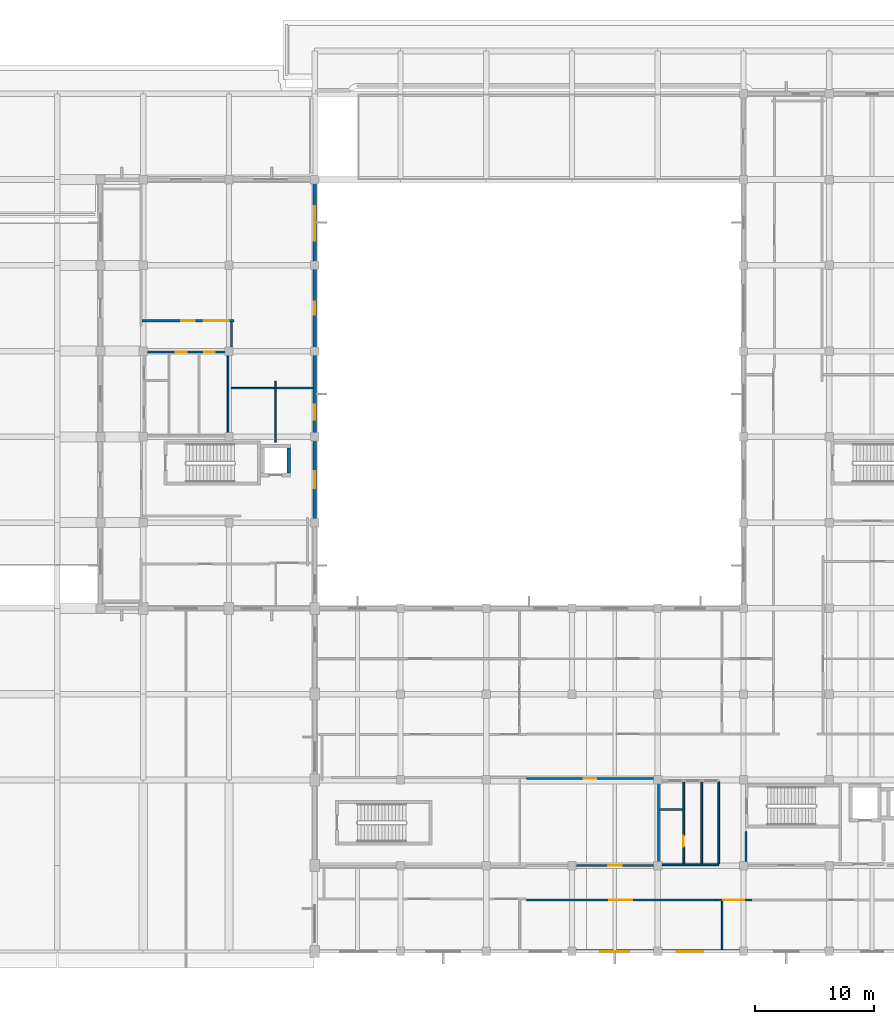
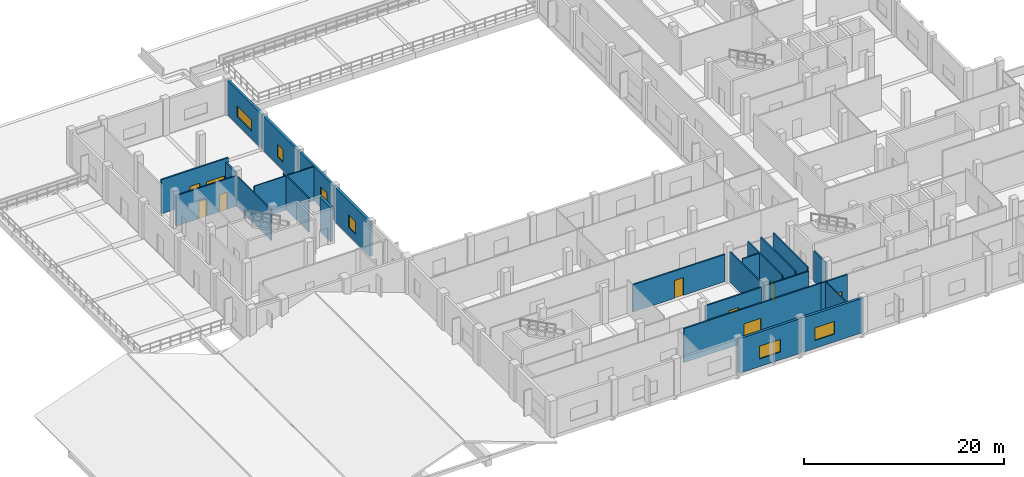
# One storey, part 11 of 24: 26 walls, 8 doors, 7 windows, 15 openings.
"""IFC4 building model written with IfcOpenShell, lengths in metres."""

from ifc_helpers import new_model, si_unit, direction, frame, frame_2d, origin, place, context, subcontext, project, spatial, rectangle, extrude, material, layer, layer_set, type_object, element, fill, save


model = new_model("IFC4")

# Units and contexts
model_context = context("Model", 3, precision=1e-05, world=origin(), true_north=direction((0.0, 1.0)))
body_context = subcontext(model_context, "Body", "Model", "MODEL_VIEW")
ifc_project = project(units=[si_unit("LENGTHUNIT", "METRE"), si_unit("AREAUNIT", "SQUARE_METRE"), si_unit("VOLUMEUNIT", "CUBIC_METRE"), si_unit("PLANEANGLEUNIT", "RADIAN"), si_unit("MASSUNIT", "GRAM", prefix="KILO")], contexts=[model_context])

# Site, building, storey
site_placement = place(None, origin())
site = spatial("IfcSite", under=ifc_project, at=site_placement, CompositionType="ELEMENT")
building_placement = place(site_placement, origin())
building = spatial("IfcBuilding", under=site, at=building_placement, Name="Seraya Terrace Polytechnic", CompositionType="ELEMENT")
storey_placement = place(building_placement, frame((0.0, 0.0, 18.89990234375)))
storey = spatial("IfcBuildingStorey", under=building, at=storey_placement, Name="L04", CompositionType="ELEMENT", Elevation=18.89990234375)

# Wall, opening, window
ifc_material_1 = material(Name="Precast concrete C40/50", Category="concrete")
ifc_layer_1 = layer(ifc_material_1, 0.280029296875, Name="EW-02")
ifc_layer_set_1 = layer_set([ifc_layer_1], Name="Precast concrete C40/50")
wall_type_1 = type_object("IfcWallType", Name="EW-02", PredefinedType="SOLIDWALL", material=ifc_layer_set_1)
wall_1_placement = place(storey_placement, frame((79.199951171875, 0.0, 0.0), z_axis=(0.0, 0.0, 1.0), x_axis=(-1.0, 0.0, 0.0)))
wall_1 = element("IfcWall", 1, at=wall_1_placement, inside=storey, type_object=wall_type_1, Name="Exterior structural wall EW-02 L04", PredefinedType="SOLIDWALL", context=body_context, shape_type="SweptSolid", body=[
    extrude(rectangle(XDim=7.199951171875, YDim=0.280029296875, at=frame_2d((3.60009765625, 0.0))), origin(), (0.0, 0.0, 1.0), 4.22021484375),
])
opening_1_placement = place(wall_1_placement, frame((3.364990234375, 0.0, 0.949951171875)))
opening_1 = element("IfcOpeningElement", 2, at=opening_1_placement, cuts=wall_1, Name="Opening WN-20", PredefinedType="OPENING", context=body_context, shape_type="SweptSolid", body=[
    extrude(rectangle(XDim=2.25, YDim=1.550048828125, at=frame_2d((1.125, 0.77490234375))), frame((0.0, 0.15185546875, 0.0), z_axis=(0.0, -1.0, 0.0), x_axis=(1.0, 0.0, 0.0)), (0.0, 0.0, 1.0), 0.303955078125),
])
ifc_material_2 = material(Name="Laminated solar-control Low-E double glazing", Category="glass")
window_type_1 = type_object("IfcWindowType", Name="WN-20", PartitioningType="SINGLE_PANEL", PredefinedType="WINDOW", material=ifc_material_2)
window_1_placement = place(opening_1_placement, origin())
window_1 = element("IfcWindow", 3, at=window_1_placement, inside=storey, type_object=window_type_1, Name="Exterior window WN-20 L04", OverallHeight=1.550048828125, OverallWidth=2.25, PartitioningType="SINGLE_PANEL", PredefinedType="WINDOW", context=body_context, shape_type="SweptSolid", body=[
    extrude(rectangle(XDim=2.25, YDim=1.550048828125, at=frame_2d((1.125, 0.77490234375))), frame((0.0, 0.030029296875, 0.0), z_axis=(0.0, -1.0, 0.0), x_axis=(1.0, 0.0, 0.0)), (0.0, 0.0, 1.0), 0.06005859375),
])
fill(opening_1, window_1)

wall_2_placement = place(storey_placement, frame((72.0, 0.0, 0.0), z_axis=(0.0, 0.0, 1.0), x_axis=(-1.0, 0.0, 0.0)))
wall_2 = element("IfcWall", 4, at=wall_2_placement, inside=storey, type_object=wall_type_1, Name="Exterior structural wall EW-02 L04", PredefinedType="SOLIDWALL", context=body_context, shape_type="SweptSolid", body=[
    extrude(rectangle(XDim=7.199951171875, YDim=0.280029296875, at=frame_2d((3.60009765625, 0.0))), origin(), (0.0, 0.0, 1.0), 4.22021484375),
])
opening_2_placement = place(wall_2_placement, frame((2.375, 0.0, 0.949951171875)))
opening_2 = element("IfcOpeningElement", 5, at=opening_2_placement, cuts=wall_2, Name="Opening WN-21", PredefinedType="OPENING", context=body_context, shape_type="SweptSolid", body=[
    extrude(rectangle(XDim=2.449951171875, YDim=1.550048828125, at=frame_2d((1.22509765625, 0.77490234375))), frame((0.0, 0.15185546875, 0.0), z_axis=(0.0, -1.0, 0.0), x_axis=(1.0, 0.0, 0.0)), (0.0, 0.0, 1.0), 0.303955078125),
])
window_type_2 = type_object("IfcWindowType", Name="WN-21", PartitioningType="SINGLE_PANEL", PredefinedType="WINDOW", material=ifc_material_2)
window_2_placement = place(opening_2_placement, origin())
window_2 = element("IfcWindow", 6, at=window_2_placement, inside=storey, type_object=window_type_2, Name="Exterior window WN-21 L04", OverallHeight=1.550048828125, OverallWidth=2.449951171875, PartitioningType="SINGLE_PANEL", PredefinedType="WINDOW", context=body_context, shape_type="SweptSolid", body=[
    extrude(rectangle(XDim=2.449951171875, YDim=1.550048828125, at=frame_2d((1.22509765625, 0.77490234375))), frame((0.0, 0.030029296875, 0.0), z_axis=(0.0, -1.0, 0.0), x_axis=(1.0, 0.0, 0.0)), (0.0, 0.0, 1.0), 0.06005859375),
])
fill(opening_2, window_2)

wall_3_placement = place(storey_placement, frame((43.199951171875, 64.64794921875, 0.0), z_axis=(0.0, 0.0, 1.0), x_axis=(0.0, -1.0, 0.0)))
wall_3 = element("IfcWall", 7, at=wall_3_placement, inside=storey, type_object=wall_type_1, Name="Exterior structural wall EW-02 L04", PredefinedType="SOLIDWALL", context=body_context, shape_type="SweptSolid", body=[
    extrude(rectangle(XDim=7.0478515625, YDim=0.280029296875, at=frame_2d((3.52392578125, 0.0))), origin(), (0.0, 0.0, 1.0), 4.22021484375),
])
opening_3_placement = place(wall_3_placement, frame((2.073974609375, 0.0, 0.949951171875)))
opening_3 = element("IfcOpeningElement", 8, at=opening_3_placement, cuts=wall_3, Name="Opening WN-12", PredefinedType="OPENING", context=body_context, shape_type="SweptSolid", body=[
    extrude(rectangle(XDim=2.89990234375, YDim=1.300048828125, at=frame_2d((1.449951171875, 0.64990234375))), frame((0.0, 0.15185546875, 0.0), z_axis=(0.0, -1.0, 0.0), x_axis=(1.0, 0.0, 0.0)), (0.0, 0.0, 1.0), 0.303955078125),
])
window_type_3 = type_object("IfcWindowType", Name="WN-12", PartitioningType="SINGLE_PANEL", PredefinedType="WINDOW", material=ifc_material_2)
window_3_placement = place(opening_3_placement, origin())
window_3 = element("IfcWindow", 9, at=window_3_placement, inside=storey, type_object=window_type_3, Name="Exterior window WN-12 L04", OverallHeight=1.300048828125, OverallWidth=2.89990234375, PartitioningType="SINGLE_PANEL", PredefinedType="WINDOW", context=body_context, shape_type="SweptSolid", body=[
    extrude(rectangle(XDim=2.89990234375, YDim=1.300048828125, at=frame_2d((1.449951171875, 0.64990234375))), frame((0.0, 0.030029296875, 0.0), z_axis=(0.0, -1.0, 0.0), x_axis=(1.0, 0.0, 0.0)), (0.0, 0.0, 1.0), 0.06005859375),
])
fill(opening_3, window_3)

wall_4_placement = place(storey_placement, frame((43.199951171875, 57.60009765625, 0.0), z_axis=(0.0, 0.0, 1.0), x_axis=(0.0, -1.0, 0.0)))
wall_4 = element("IfcWall", 10, at=wall_4_placement, inside=storey, type_object=wall_type_1, Name="Exterior structural wall EW-02 L04", PredefinedType="SOLIDWALL", context=body_context, shape_type="SweptSolid", body=[
    extrude(rectangle(XDim=7.2001953125, YDim=0.280029296875, at=frame_2d((3.60009765625, 0.0))), origin(), (0.0, 0.0, 1.0), 4.22021484375),
])
opening_4_placement = place(wall_4_placement, frame((3.050048828125, 0.0, 0.949951171875)))
opening_4 = element("IfcOpeningElement", 11, at=opening_4_placement, cuts=wall_4, Name="Opening WN-13", PredefinedType="OPENING", context=body_context, shape_type="SweptSolid", body=[
    extrude(rectangle(XDim=1.10009765625, YDim=1.550048828125, at=frame_2d((0.550048828125, 0.77490234375))), frame((0.0, 0.15185546875, 0.0), z_axis=(0.0, -1.0, 0.0), x_axis=(1.0, 0.0, 0.0)), (0.0, 0.0, 1.0), 0.303955078125),
])
window_type_4 = type_object("IfcWindowType", Name="WN-13", PartitioningType="SINGLE_PANEL", PredefinedType="WINDOW", material=ifc_material_2)
window_4_placement = place(opening_4_placement, origin())
window_4 = element("IfcWindow", 12, at=window_4_placement, inside=storey, type_object=window_type_4, Name="Exterior window WN-13 L04", OverallHeight=1.550048828125, OverallWidth=1.10009765625, PartitioningType="SINGLE_PANEL", PredefinedType="WINDOW", context=body_context, shape_type="SweptSolid", body=[
    extrude(rectangle(XDim=1.10009765625, YDim=1.550048828125, at=frame_2d((0.550048828125, 0.77490234375))), frame((0.0, 0.030029296875, 0.0), z_axis=(0.0, -1.0, 0.0), x_axis=(1.0, 0.0, 0.0)), (0.0, 0.0, 1.0), 0.06005859375),
])
fill(opening_4, window_4)

wall_5_placement = place(storey_placement, frame((43.199951171875, 50.39990234375, 0.0), z_axis=(0.0, 0.0, 1.0), x_axis=(0.0, -1.0, 0.0)))
wall_5 = element("IfcWall", 13, at=wall_5_placement, inside=storey, type_object=wall_type_1, Name="Exterior structural wall EW-02 L04", PredefinedType="SOLIDWALL", context=body_context, shape_type="SweptSolid", body=[
    extrude(rectangle(XDim=7.199951171875, YDim=0.280029296875, at=frame_2d((3.60009765625, 0.0))), origin(), (0.0, 0.0, 1.0), 4.22021484375),
])
opening_5_placement = place(wall_5_placement, frame((4.514892578125, 0.0, 0.949951171875)))
opening_5 = element("IfcOpeningElement", 14, at=opening_5_placement, cuts=wall_5, Name="Opening WN-14", PredefinedType="OPENING", context=body_context, shape_type="SweptSolid", body=[
    extrude(rectangle(XDim=1.25, YDim=1.550048828125, at=frame_2d((0.625, 0.77490234375))), frame((0.0, 0.15185546875, 0.0), z_axis=(0.0, -1.0, 0.0), x_axis=(1.0, 0.0, 0.0)), (0.0, 0.0, 1.0), 0.303955078125),
])
window_type_5 = type_object("IfcWindowType", Name="WN-14", PartitioningType="SINGLE_PANEL", PredefinedType="WINDOW", material=ifc_material_2)
window_5_placement = place(opening_5_placement, origin())
window_5 = element("IfcWindow", 15, at=window_5_placement, inside=storey, type_object=window_type_5, Name="Exterior window WN-14 L04", OverallHeight=1.550048828125, OverallWidth=1.25, PartitioningType="SINGLE_PANEL", PredefinedType="WINDOW", context=body_context, shape_type="SweptSolid", body=[
    extrude(rectangle(XDim=1.25, YDim=1.550048828125, at=frame_2d((0.625, 0.77490234375))), frame((0.0, 0.030029296875, 0.0), z_axis=(0.0, -1.0, 0.0), x_axis=(1.0, 0.0, 0.0)), (0.0, 0.0, 1.0), 0.06005859375),
])
fill(opening_5, window_5)

wall_6_placement = place(storey_placement, frame((43.199951171875, 43.199951171875, 0.0), z_axis=(0.0, 0.0, 1.0), x_axis=(0.0, -1.0, 0.0)))
wall_6 = element("IfcWall", 16, at=wall_6_placement, inside=storey, type_object=wall_type_1, Name="Exterior structural wall EW-02 L04", PredefinedType="SOLIDWALL", context=body_context, shape_type="SweptSolid", body=[
    extrude(rectangle(XDim=7.199951171875, YDim=0.280029296875, at=frame_2d((3.60009765625, 0.0))), origin(), (0.0, 0.0, 1.0), 4.22021484375),
])
opening_6_placement = place(wall_6_placement, frame((2.89990234375, 0.0, 0.949951171875)))
opening_6 = element("IfcOpeningElement", 17, at=opening_6_placement, cuts=wall_6, Name="Opening WN-15", PredefinedType="OPENING", context=body_context, shape_type="SweptSolid", body=[
    extrude(rectangle(XDim=1.39990234375, YDim=1.550048828125, at=frame_2d((0.699951171875, 0.77490234375))), frame((0.0, 0.15185546875, 0.0), z_axis=(0.0, -1.0, 0.0), x_axis=(1.0, 0.0, 0.0)), (0.0, 0.0, 1.0), 0.303955078125),
])
window_type_6 = type_object("IfcWindowType", Name="WN-15", PartitioningType="SINGLE_PANEL", PredefinedType="WINDOW", material=ifc_material_2)
window_6_placement = place(opening_6_placement, origin())
window_6 = element("IfcWindow", 18, at=window_6_placement, inside=storey, type_object=window_type_6, Name="Exterior window WN-15 L04", OverallHeight=1.550048828125, OverallWidth=1.39990234375, PartitioningType="SINGLE_PANEL", PredefinedType="WINDOW", context=body_context, shape_type="SweptSolid", body=[
    extrude(rectangle(XDim=1.39990234375, YDim=1.550048828125, at=frame_2d((0.699951171875, 0.77490234375))), frame((0.0, 0.030029296875, 0.0), z_axis=(0.0, -1.0, 0.0), x_axis=(1.0, 0.0, 0.0)), (0.0, 0.0, 1.0), 0.06005859375),
])
fill(opening_6, window_6)

# Wall, opening, door
ifc_material_3 = material(Name="Autoclaved aerated concrete blockwork", Category="masonry")
ifc_layer_2 = layer(ifc_material_3, 0.169921875, Name="PT-02")
ifc_layer_set_2 = layer_set([ifc_layer_2], Name="Autoclaved aerated concrete blockwork")
wall_type_2 = type_object("IfcWallType", Name="PT-02", PredefinedType="PARTITIONING", material=ifc_layer_set_2)
wall_7_placement = place(storey_placement, frame((60.9814453125, 14.530029296875, 0.0), z_axis=(0.0, 0.0, 1.0), x_axis=(1.0, 0.0, 0.0)))
wall_7 = element("IfcWall", 19, at=wall_7_placement, inside=storey, type_object=wall_type_2, Name="Internal partition PT-02 L04", PredefinedType="PARTITIONING", context=body_context, shape_type="SweptSolid", body=[
    extrude(rectangle(XDim=10.658447265625, YDim=0.169921875, at=frame_2d((5.3291015625, 0.0))), origin(), (0.0, 0.0, 1.0), 3.330078125),
])
opening_7_placement = place(wall_7_placement, frame((4.809326171875, 0.0, 0.0)))
opening_7 = element("IfcOpeningElement", 20, at=opening_7_placement, cuts=wall_7, Name="Opening ID-04", PredefinedType="OPENING", context=body_context, shape_type="SweptSolid", body=[
    extrude(rectangle(XDim=1.0400390625, YDim=2.179931640625, at=frame_2d((0.52001953125, 1.08984375))), frame((0.0, 0.096923828125, 0.0), z_axis=(0.0, -1.0, 0.0), x_axis=(1.0, 0.0, 0.0)), (0.0, 0.0, 1.0), 0.19384765625),
])
ifc_material_4 = material(Name="Malaysian dark red meranti hardwood timber D40", Category="wood")
door_type_1 = type_object("IfcDoorType", Name="ID-04", OperationType="NOTDEFINED", PredefinedType="DOOR", material=ifc_material_4)
door_1_placement = place(opening_7_placement, frame((1.0400390625, 0.0, 0.0), z_axis=(0.0, 0.0, 1.0), x_axis=(-1.0, 0.0, 0.0)))
door_1 = element("IfcDoor", 21, at=door_1_placement, inside=storey, type_object=door_type_1, Name="Door ID-04 DR-INT-L04-0225 in WL-INT-L04-0634", OperationType="SINGLE_SWING_RIGHT", OverallHeight=2.179931640625, OverallWidth=1.0400390625, PredefinedType="DOOR", context=body_context, shape_type="SweptSolid", body=[
    extrude(rectangle(XDim=1.0400390625, YDim=2.179931640625, at=frame_2d((0.52001953125, 1.08984375))), frame((0.0, 0.02490234375, 0.0), z_axis=(0.0, -1.0, 0.0), x_axis=(1.0, 0.0, 0.0)), (0.0, 0.0, 1.0), 0.050048828125),
])
fill(opening_7, door_1)

# Wall
wall_8_placement = place(storey_placement, frame((79.419921875, 7.56005859375, 0.0), z_axis=(0.0, 0.0, 1.0), x_axis=(0.0, 1.0, 0.0)))
element("IfcWall", 22, at=wall_8_placement, inside=storey, type_object=wall_type_2, Name="Internal partition PT-02 L04", PredefinedType="PARTITIONING", context=body_context, shape_type="SweptSolid", body=[
    extrude(rectangle(XDim=2.490234375, YDim=0.169921875, at=frame_2d((1.2451171875, 0.0))), origin(), (0.0, 0.0, 1.0), 3.72998046875),
])

# Wall, opening, door
wall_9_placement = place(storey_placement, frame((76.840087890625, 4.330078125, 0.0), z_axis=(0.0, 0.0, 1.0), x_axis=(1.0, 0.0, 0.0)))
wall_9 = element("IfcWall", 23, at=wall_9_placement, inside=storey, type_object=wall_type_2, Name="Internal partition PT-02 L04", PredefinedType="PARTITIONING", context=body_context, shape_type="SweptSolid", body=[
    extrude(rectangle(XDim=3.06982421875, YDim=0.169921875, at=frame_2d((1.534912109375, 0.0))), origin(), (0.0, 0.0, 1.0), 4.16015625),
])
opening_8_placement = place(wall_9_placement, frame((0.655029296875, 0.0, 0.0)))
opening_8 = element("IfcOpeningElement", 24, at=opening_8_placement, cuts=wall_9, Name="Opening ID-14", PredefinedType="OPENING", context=body_context, shape_type="SweptSolid", body=[
    extrude(rectangle(XDim=1.760009765625, YDim=2.300048828125, at=frame_2d((0.8798828125, 1.14990234375))), frame((0.0, 0.096923828125, 0.0), z_axis=(0.0, -1.0, 0.0), x_axis=(1.0, 0.0, 0.0)), (0.0, 0.0, 1.0), 0.19384765625),
])
door_type_2 = type_object("IfcDoorType", Name="ID-14", OperationType="DOUBLE_DOOR_SINGLE_SWING", PredefinedType="DOOR", material=ifc_material_4)
door_2_placement = place(opening_8_placement, frame((1.760009765625, 0.0, 0.0), z_axis=(0.0, 0.0, 1.0), x_axis=(-1.0, 0.0, 0.0)))
door_2 = element("IfcDoor", 25, at=door_2_placement, inside=storey, type_object=door_type_2, Name="Door ID-14 DR-INT-L04-0235 in WL-INT-L04-0643", OperationType="DOUBLE_DOOR_SINGLE_SWING", OverallHeight=2.300048828125, OverallWidth=1.760009765625, PredefinedType="DOOR", context=body_context, shape_type="SweptSolid", body=[
    extrude(rectangle(XDim=1.760009765625, YDim=2.300048828125, at=frame_2d((0.8798828125, 1.14990234375))), frame((0.0, 0.02490234375, 0.0), z_axis=(0.0, -1.0, 0.0), x_axis=(1.0, 0.0, 0.0)), (0.0, 0.0, 1.0), 0.050048828125),
])
fill(opening_8, door_2)

wall_10_placement = place(storey_placement, frame((65.159912109375, 7.219970703125, 0.0), z_axis=(0.0, 0.0, 1.0), x_axis=(1.0, 0.0, 0.0)))
wall_10 = element("IfcWall", 26, at=wall_10_placement, inside=storey, type_object=wall_type_2, Name="Internal partition PT-02 L04", PredefinedType="PARTITIONING", context=body_context, shape_type="SweptSolid", body=[
    extrude(rectangle(XDim=6.47998046875, YDim=0.169921875, at=frame_2d((3.239990234375, 0.0))), origin(), (0.0, 0.0, 1.0), 3.72998046875),
])
opening_9_placement = place(wall_10_placement, frame((2.669921875, 0.0, 0.0)))
opening_9 = element("IfcOpeningElement", 27, at=opening_9_placement, cuts=wall_10, Name="Opening ID-06", PredefinedType="OPENING", context=body_context, shape_type="SweptSolid", body=[
    extrude(rectangle(XDim=1.139892578125, YDim=2.199951171875, at=frame_2d((0.56982421875, 1.10009765625))), frame((0.0, 0.096923828125, 0.0), z_axis=(0.0, -1.0, 0.0), x_axis=(1.0, 0.0, 0.0)), (0.0, 0.0, 1.0), 0.19384765625),
])
door_type_3 = type_object("IfcDoorType", Name="ID-06", OperationType="NOTDEFINED", PredefinedType="DOOR", material=ifc_material_4)
door_3_placement = place(opening_9_placement, frame((1.139892578125, 0.0, 0.0), z_axis=(0.0, 0.0, 1.0), x_axis=(-1.0, 0.0, 0.0)))
door_3 = element("IfcDoor", 28, at=door_3_placement, inside=storey, type_object=door_type_3, Name="Door ID-06 DR-INT-L04-0243 in WL-INT-L04-0657", OperationType="SINGLE_SWING_RIGHT", OverallHeight=2.199951171875, OverallWidth=1.139892578125, PredefinedType="DOOR", context=body_context, shape_type="SweptSolid", body=[
    extrude(rectangle(XDim=1.139892578125, YDim=2.199951171875, at=frame_2d((0.56982421875, 1.10009765625))), frame((0.0, 0.02490234375, 0.0), z_axis=(0.0, -1.0, 0.0), x_axis=(1.0, 0.0, 0.0)), (0.0, 0.0, 1.0), 0.050048828125),
])
fill(opening_9, door_3)

wall_11_placement = place(storey_placement, frame((60.9814453125, 4.330078125, 0.0), z_axis=(0.0, 0.0, 1.0), x_axis=(1.0, 0.0, 0.0)))
wall_11 = element("IfcWall", 29, at=wall_11_placement, inside=storey, type_object=wall_type_2, Name="Internal partition PT-02 L04", PredefinedType="PARTITIONING", context=body_context, shape_type="SweptSolid", body=[
    extrude(rectangle(XDim=15.858642578125, YDim=0.169921875, at=frame_2d((7.92919921875, 0.0))), origin(), (0.0, 0.0, 1.0), 4.16015625),
])
opening_10_placement = place(wall_11_placement, frame((6.96923828125, 0.0, 0.0)))
opening_10 = element("IfcOpeningElement", 30, at=opening_10_placement, cuts=wall_11, Name="Opening ID-16", PredefinedType="OPENING", context=body_context, shape_type="SweptSolid", body=[
    extrude(rectangle(XDim=1.919921875, YDim=2.320068359375, at=frame_2d((0.9599609375, 1.16015625))), frame((0.0, 0.096923828125, 0.0), z_axis=(0.0, -1.0, 0.0), x_axis=(1.0, 0.0, 0.0)), (0.0, 0.0, 1.0), 0.19384765625),
])
door_type_4 = type_object("IfcDoorType", Name="ID-16", OperationType="DOUBLE_DOOR_SINGLE_SWING", PredefinedType="DOOR", material=ifc_material_4)
door_4_placement = place(opening_10_placement, frame((1.919921875, 0.0, 0.0), z_axis=(0.0, 0.0, 1.0), x_axis=(-1.0, 0.0, 0.0)))
door_4 = element("IfcDoor", 31, at=door_4_placement, inside=storey, type_object=door_type_4, Name="Door ID-16 DR-INT-L04-0221 in WL-INT-L04-0659", OperationType="DOUBLE_DOOR_SINGLE_SWING", OverallHeight=2.320068359375, OverallWidth=1.919921875, PredefinedType="DOOR", context=body_context, shape_type="SweptSolid", body=[
    extrude(rectangle(XDim=1.919921875, YDim=2.320068359375, at=frame_2d((0.9599609375, 1.16015625))), frame((0.0, 0.02490234375, 0.0), z_axis=(0.0, -1.0, 0.0), x_axis=(1.0, 0.0, 0.0)), (0.0, 0.0, 1.0), 0.050048828125),
])
fill(opening_10, door_4)

# Wall, openings, door, window
wall_12_placement = place(storey_placement, frame((28.699951171875, 52.949951171875, 0.0), z_axis=(0.0, 0.0, 1.0), x_axis=(1.0, 0.0, 0.0)))
wall_12 = element("IfcWall", 32, at=wall_12_placement, inside=storey, type_object=wall_type_2, Name="Internal partition PT-02 L04", PredefinedType="PARTITIONING", context=body_context, shape_type="SweptSolid", body=[
    extrude(rectangle(XDim=7.739990234375, YDim=0.169921875, at=frame_2d((3.8701171875, 0.0))), origin(), (0.0, 0.0, 1.0), 4.16015625),
])
opening_11_placement = place(wall_12_placement, frame((3.300048828125, 0.0, 0.0)))
opening_11 = element("IfcOpeningElement", 33, at=opening_11_placement, cuts=wall_12, Name="Opening ID-06", PredefinedType="OPENING", context=body_context, shape_type="SweptSolid", body=[
    extrude(rectangle(XDim=1.139892578125, YDim=2.199951171875, at=frame_2d((0.56982421875, 1.10009765625))), frame((0.0, 0.096923828125, 0.0), z_axis=(0.0, -1.0, 0.0), x_axis=(1.0, 0.0, 0.0)), (0.0, 0.0, 1.0), 0.19384765625),
])
opening_12_placement = place(wall_12_placement, frame((5.18994140625, 0.0, 1.050048828125)))
opening_12 = element("IfcOpeningElement", 34, at=opening_12_placement, cuts=wall_12, Name="Opening IW-03", PredefinedType="OPENING", context=body_context, shape_type="SweptSolid", body=[
    extrude(rectangle(XDim=2.10009765625, YDim=1.050048828125, at=frame_2d((1.050048828125, 0.52490234375))), frame((0.0, 0.096923828125, 0.0), z_axis=(0.0, -1.0, 0.0), x_axis=(1.0, 0.0, 0.0)), (0.0, 0.0, 1.0), 0.19384765625),
])
door_5_placement = place(opening_11_placement, frame((1.139892578125, 0.0, 0.0), z_axis=(0.0, 0.0, 1.0), x_axis=(-1.0, 0.0, 0.0)))
door_5 = element("IfcDoor", 35, at=door_5_placement, inside=storey, type_object=door_type_3, Name="Door ID-06 DR-INT-L04-0227 in WL-INT-L04-0680", OperationType="SINGLE_SWING_RIGHT", OverallHeight=2.199951171875, OverallWidth=1.139892578125, PredefinedType="DOOR", context=body_context, shape_type="SweptSolid", body=[
    extrude(rectangle(XDim=1.139892578125, YDim=2.199951171875, at=frame_2d((0.56982421875, 1.10009765625))), frame((0.0, 0.02490234375, 0.0), z_axis=(0.0, -1.0, 0.0), x_axis=(1.0, 0.0, 0.0)), (0.0, 0.0, 1.0), 0.050048828125),
])
fill(opening_11, door_5)
window_type_7 = type_object("IfcWindowType", Name="IW-03", PartitioningType="SINGLE_PANEL", PredefinedType="WINDOW", material=ifc_material_2)
window_7_placement = place(opening_12_placement, origin())
window_7 = element("IfcWindow", 36, at=window_7_placement, inside=storey, type_object=window_type_7, Name="Internal lab vision window IW-03 L04", OverallHeight=1.050048828125, OverallWidth=2.10009765625, PartitioningType="SINGLE_PANEL", PredefinedType="WINDOW", context=body_context, shape_type="SweptSolid", body=[
    extrude(rectangle(XDim=2.10009765625, YDim=1.050048828125, at=frame_2d((1.050048828125, 0.52490234375))), frame((0.0, 0.030029296875, 0.0), z_axis=(0.0, -1.0, 0.0), x_axis=(1.0, 0.0, 0.0)), (0.0, 0.0, 1.0), 0.06005859375),
])
fill(opening_12, window_7)

# Walls
wall_13_placement = place(storey_placement, frame((36.199951171875, 50.760009765625, 0.0), z_axis=(0.0, 0.0, 1.0), x_axis=(0.0, 1.0, 0.0)))
element("IfcWall", 37, at=wall_13_placement, inside=storey, type_object=wall_type_2, Name="Internal partition PT-02 L04", PredefinedType="PARTITIONING", context=body_context, shape_type="SweptSolid", body=[
    extrude(rectangle(XDim=2.090087890625, YDim=0.169921875, at=frame_2d((1.044921875, 0.0))), origin(), (0.0, 0.0, 1.0), 3.72998046875),
])
ifc_layer_3 = layer(ifc_material_3, 0.14990234375, Name="PT-03")
ifc_layer_set_3 = layer_set([ifc_layer_3], Name="Autoclaved aerated concrete blockwork")
wall_type_3 = type_object("IfcWallType", Name="PT-03", PredefinedType="PARTITIONING", material=ifc_layer_set_3)
wall_14_placement = place(storey_placement, frame((39.9951171875, 47.300048828125, 0.0), z_axis=(0.0, 0.0, 1.0), x_axis=(1.0, 0.0, 0.0)))
element("IfcWall", 38, at=wall_14_placement, inside=storey, type_object=wall_type_3, Name="Internal partition PT-03 L04", PredefinedType="PARTITIONING", context=body_context, shape_type="SweptSolid", body=[
    extrude(rectangle(XDim=3.052978515625, YDim=0.14990234375, at=frame_2d((1.5263671875, 0.0))), origin(), (0.0, 0.0, 1.0), 4.16015625),
])
ifc_layer_4 = layer(ifc_material_3, 0.139892578125, Name="PT-04")
ifc_layer_set_4 = layer_set([ifc_layer_4], Name="Autoclaved aerated concrete blockwork")
wall_type_4 = type_object("IfcWallType", Name="PT-04", PredefinedType="PARTITIONING", material=ifc_layer_set_4)
wall_15_placement = place(storey_placement, frame((72.070068359375, 7.27001953125, 0.0), z_axis=(0.0, 0.0, 1.0), x_axis=(1.0, 0.0, 0.0)))
element("IfcWall", 39, at=wall_15_placement, inside=storey, type_object=wall_type_4, Name="Sanitary WC-A South wall L04", PredefinedType="PARTITIONING", context=body_context, shape_type="SweptSolid", body=[
    extrude(rectangle(XDim=5.059814453125, YDim=0.139892578125, at=frame_2d((2.52978515625, 0.0))), origin(), (0.0, 0.0, 1.0), 3.72998046875),
])
wall_16_placement = place(storey_placement, frame((72.070068359375, 7.35009765625, 0.0), z_axis=(0.0, 0.0, 1.0), x_axis=(0.0, 1.0, 0.0)))
element("IfcWall", 40, at=wall_16_placement, inside=storey, type_object=wall_type_4, Name="Sanitary WC-A West wall L04", PredefinedType="PARTITIONING", context=body_context, shape_type="SweptSolid", body=[
    extrude(rectangle(XDim=6.89990234375, YDim=0.139892578125, at=frame_2d((3.449951171875, 0.0))), origin(), (0.0, 0.0, 1.0), 3.72998046875),
])
wall_17_placement = place(storey_placement, frame((77.1298828125, 7.35009765625, 0.0), z_axis=(0.0, 0.0, 1.0), x_axis=(0.0, 1.0, 0.0)))
element("IfcWall", 41, at=wall_17_placement, inside=storey, type_object=wall_type_4, Name="Sanitary WC-A East wall L04", PredefinedType="PARTITIONING", context=body_context, shape_type="SweptSolid", body=[
    extrude(rectangle(XDim=6.89990234375, YDim=0.139892578125, at=frame_2d((3.449951171875, 0.0))), origin(), (0.0, 0.0, 1.0), 4.16015625),
])

# Wall, opening, door
wall_18_placement = place(storey_placement, frame((74.179931640625, 7.35009765625, 0.0), z_axis=(0.0, 0.0, 1.0), x_axis=(0.0, 1.0, 0.0)))
wall_18 = element("IfcWall", 42, at=wall_18_placement, inside=storey, type_object=wall_type_4, Name="Sanitary WC-A OKU/Male divider L04", PredefinedType="PARTITIONING", context=body_context, shape_type="SweptSolid", body=[
    extrude(rectangle(XDim=6.89990234375, YDim=0.139892578125, at=frame_2d((3.449951171875, 0.0))), origin(), (0.0, 0.0, 1.0), 4.16015625),
])
opening_13_placement = place(wall_18_placement, frame((1.449951171875, 0.0, 0.0)))
opening_13 = element("IfcOpeningElement", 43, at=opening_13_placement, cuts=wall_18, Name="Opening ID-02", PredefinedType="OPENING", context=body_context, shape_type="SweptSolid", body=[
    extrude(rectangle(XDim=0.89990234375, YDim=2.080078125, at=frame_2d((0.449951171875, 1.0400390625))), frame((0.0, 0.08203125, 0.0), z_axis=(0.0, -1.0, 0.0), x_axis=(1.0, 0.0, 0.0)), (0.0, 0.0, 1.0), 0.163818359375),
])
door_type_5 = type_object("IfcDoorType", Name="ID-02", OperationType="NOTDEFINED", PredefinedType="DOOR", material=ifc_material_4)
door_6_placement = place(opening_13_placement, origin())
door_6 = element("IfcDoor", 44, at=door_6_placement, inside=storey, type_object=door_type_5, Name="Door ID-02 DR-WC-WC-A-L04-CLN in WL-WC-WC-A-L04-D1", OperationType="SINGLE_SWING_RIGHT", OverallHeight=2.080078125, OverallWidth=0.89990234375, PredefinedType="DOOR", context=body_context, shape_type="SweptSolid", body=[
    extrude(rectangle(XDim=0.89990234375, YDim=2.080078125, at=frame_2d((0.449951171875, 1.0400390625))), frame((0.0, 0.02490234375, 0.0), z_axis=(0.0, -1.0, 0.0), x_axis=(1.0, 0.0, 0.0)), (0.0, 0.0, 1.0), 0.050048828125),
])
fill(opening_13, door_6)

# Walls
wall_19_placement = place(storey_placement, frame((75.68994140625, 7.35009765625, 0.0), z_axis=(0.0, 0.0, 1.0), x_axis=(0.0, 1.0, 0.0)))
element("IfcWall", 45, at=wall_19_placement, inside=storey, type_object=wall_type_4, Name="Sanitary WC-A Male/Female divider L04", PredefinedType="PARTITIONING", context=body_context, shape_type="SweptSolid", body=[
    extrude(rectangle(XDim=6.89990234375, YDim=0.139892578125, at=frame_2d((3.449951171875, 0.0))), origin(), (0.0, 0.0, 1.0), 4.16015625),
])
wall_20_placement = place(storey_placement, frame((72.14990234375, 11.919921875, 0.0), z_axis=(0.0, 0.0, 1.0), x_axis=(1.0, 0.0, 0.0)))
element("IfcWall", 46, at=wall_20_placement, inside=storey, type_object=wall_type_4, Name="Sanitary WC-A OKU/Cleaner divider L04", PredefinedType="PARTITIONING", context=body_context, shape_type="SweptSolid", body=[
    extrude(rectangle(XDim=1.9501953125, YDim=0.139892578125, at=frame_2d((0.97509765625, 0.0))), origin(), (0.0, 0.0, 1.0), 4.16015625),
])

# Wall, openings, doors
wall_21_placement = place(storey_placement, frame((28.8701171875, 50.330078125, 0.0), z_axis=(0.0, 0.0, 1.0), x_axis=(1.0, 0.0, 0.0)))
wall_21 = element("IfcWall", 47, at=wall_21_placement, inside=storey, type_object=wall_type_4, Name="Sanitary WC-B North wall L04", PredefinedType="PARTITIONING", context=body_context, shape_type="SweptSolid", body=[
    extrude(rectangle(XDim=7.059814453125, YDim=0.139892578125, at=frame_2d((3.52978515625, 0.0))), origin(), (0.0, 0.0, 1.0), 3.72998046875),
])
opening_14_placement = place(wall_21_placement, frame((2.679931640625, 0.0, 0.0)))
opening_14 = element("IfcOpeningElement", 48, at=opening_14_placement, cuts=wall_21, Name="Opening ID-02", PredefinedType="OPENING", context=body_context, shape_type="SweptSolid", body=[
    extrude(rectangle(XDim=0.89990234375, YDim=2.080078125, at=frame_2d((0.449951171875, 1.0400390625))), frame((0.0, 0.08203125, 0.0), z_axis=(0.0, -1.0, 0.0), x_axis=(1.0, 0.0, 0.0)), (0.0, 0.0, 1.0), 0.163818359375),
])
opening_15_placement = place(wall_21_placement, frame((5.050048828125, 0.0, 0.0)))
opening_15 = element("IfcOpeningElement", 49, at=opening_15_placement, cuts=wall_21, Name="Opening ID-02", PredefinedType="OPENING", context=body_context, shape_type="SweptSolid", body=[
    extrude(rectangle(XDim=0.89990234375, YDim=2.080078125, at=frame_2d((0.449951171875, 1.0400390625))), frame((0.0, 0.08203125, 0.0), z_axis=(0.0, -1.0, 0.0), x_axis=(1.0, 0.0, 0.0)), (0.0, 0.0, 1.0), 0.163818359375),
])
door_7_placement = place(opening_14_placement, frame((0.89990234375, 0.0, 0.0), z_axis=(0.0, 0.0, 1.0), x_axis=(-1.0, 0.0, 0.0)))
door_7 = element("IfcDoor", 50, at=door_7_placement, inside=storey, type_object=door_type_5, Name="Door ID-02 DR-WC-WC-B-L04-M in WL-WC-WC-B-L04-N", OperationType="SINGLE_SWING_LEFT", OverallHeight=2.080078125, OverallWidth=0.89990234375, PredefinedType="DOOR", context=body_context, shape_type="SweptSolid", body=[
    extrude(rectangle(XDim=0.89990234375, YDim=2.080078125, at=frame_2d((0.449951171875, 1.0400390625))), frame((0.0, 0.02490234375, 0.0), z_axis=(0.0, -1.0, 0.0), x_axis=(1.0, 0.0, 0.0)), (0.0, 0.0, 1.0), 0.050048828125),
])
fill(opening_14, door_7)
door_8_placement = place(opening_15_placement, frame((0.89990234375, 0.0, 0.0), z_axis=(0.0, 0.0, 1.0), x_axis=(-1.0, 0.0, 0.0)))
door_8 = element("IfcDoor", 51, at=door_8_placement, inside=storey, type_object=door_type_5, Name="Door ID-02 DR-WC-WC-B-L04-F in WL-WC-WC-B-L04-N", OperationType="SINGLE_SWING_RIGHT", OverallHeight=2.080078125, OverallWidth=0.89990234375, PredefinedType="DOOR", context=body_context, shape_type="SweptSolid", body=[
    extrude(rectangle(XDim=0.89990234375, YDim=2.080078125, at=frame_2d((0.449951171875, 1.0400390625))), frame((0.0, 0.02490234375, 0.0), z_axis=(0.0, -1.0, 0.0), x_axis=(1.0, 0.0, 0.0)), (0.0, 0.0, 1.0), 0.050048828125),
])
fill(opening_15, door_8)

# Walls
wall_22_placement = place(storey_placement, frame((35.929931640625, 43.35009765625, 0.0), z_axis=(0.0, 0.0, 1.0), x_axis=(0.0, 1.0, 0.0)))
element("IfcWall", 52, at=wall_22_placement, inside=storey, type_object=wall_type_4, Name="Sanitary WC-B East wall L04", PredefinedType="PARTITIONING", context=body_context, shape_type="SweptSolid", body=[
    extrude(rectangle(XDim=6.89990234375, YDim=0.139892578125, at=frame_2d((3.449951171875, 0.0))), origin(), (0.0, 0.0, 1.0), 3.72998046875),
])
ifc_layer_5 = layer(ifc_material_3, 0.1201171875, Name="PT-05")
ifc_layer_set_5 = layer_set([ifc_layer_5], Name="Autoclaved aerated concrete blockwork")
wall_type_5 = type_object("IfcWallType", Name="PT-05", PredefinedType="PARTITIONING", material=ifc_layer_set_5)
wall_23_placement = place(storey_placement, frame((77.39990234375, 0.152099609375, 0.0), z_axis=(0.0, 0.0, 1.0), x_axis=(0.0, 1.0, 0.0)))
element("IfcWall", 53, at=wall_23_placement, inside=storey, type_object=wall_type_5, Name="Internal partition PT-05 L04", PredefinedType="PARTITIONING", context=body_context, shape_type="SweptSolid", body=[
    extrude(rectangle(XDim=4.077880859375, YDim=0.1201171875, at=frame_2d((2.0390625, 0.0))), origin(), (0.0, 0.0, 1.0), 4.16015625),
])
wall_24_placement = place(storey_placement, frame((39.919921875, 42.72998046875, 0.0), z_axis=(0.0, 0.0, 1.0), x_axis=(0.0, 1.0, 0.0)))
element("IfcWall", 54, at=wall_24_placement, inside=storey, type_object=wall_type_5, Name="Internal partition PT-05 L04", PredefinedType="PARTITIONING", context=body_context, shape_type="SweptSolid", body=[
    extrude(rectangle(XDim=5.124267578125, YDim=0.1201171875, at=frame_2d((2.56201171875, 0.0))), origin(), (0.0, 0.0, 1.0), 4.16015625),
])
wall_25_placement = place(storey_placement, frame((36.179931640625, 47.300048828125, 0.0), z_axis=(0.0, 0.0, 1.0), x_axis=(1.0, 0.0, 0.0)))
element("IfcWall", 55, at=wall_25_placement, inside=storey, type_object=wall_type_5, Name="Internal partition PT-05 L04", PredefinedType="PARTITIONING", context=body_context, shape_type="SweptSolid", body=[
    extrude(rectangle(XDim=3.6650390625, YDim=0.1201171875, at=frame_2d((1.83251953125, 0.0))), origin(), (0.0, 0.0, 1.0), 4.16015625),
])
ifc_material_5 = material(Name="Concrete C40/50", Category="concrete")
ifc_layer_6 = layer(ifc_material_5, 0.300048828125, Name="SW-01")
ifc_layer_set_6 = layer_set([ifc_layer_6], Name="Concrete C40/50")
wall_type_6 = type_object("IfcWallType", Name="SW-01", PredefinedType="SHEAR", material=ifc_layer_set_6)
wall_26_placement = place(storey_placement, frame((41.02001953125, 40.14990234375, 0.0), z_axis=(0.0, 0.0, 1.0), x_axis=(0.0, 1.0, 0.0)))
element("IfcWall", 56, at=wall_26_placement, inside=storey, type_object=wall_type_6, Name="Lift shaft PL-05 East wall L04", PredefinedType="SHEAR", context=body_context, shape_type="SweptSolid", body=[
    extrude(rectangle(XDim=2.10009765625, YDim=0.300048828125, at=frame_2d((1.050048828125, 0.0))), origin(), (0.0, 0.0, 1.0), 4.25),
])

save(model, "model.ifc")
